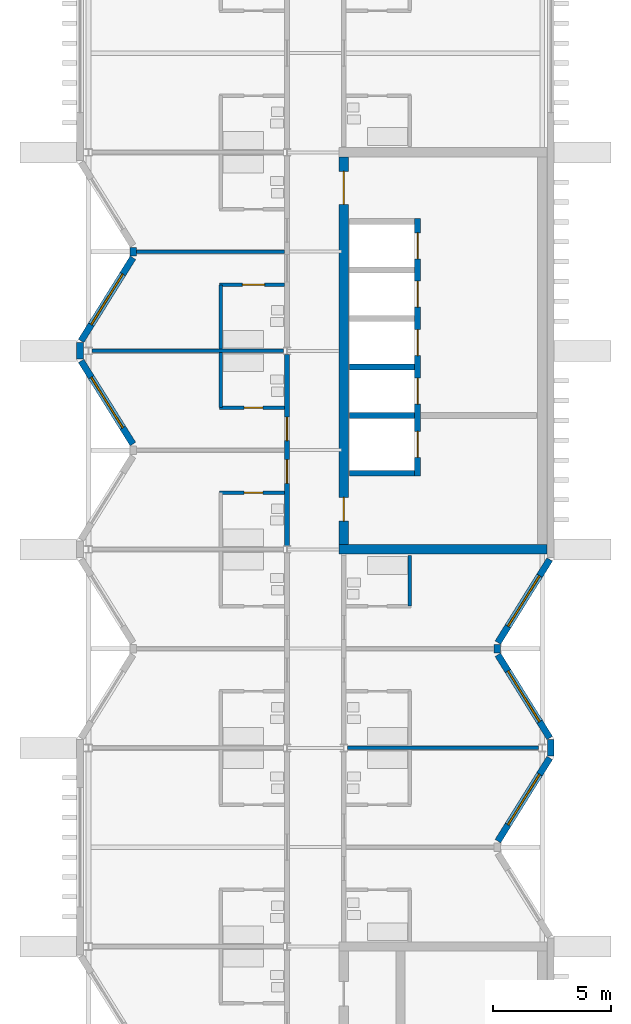
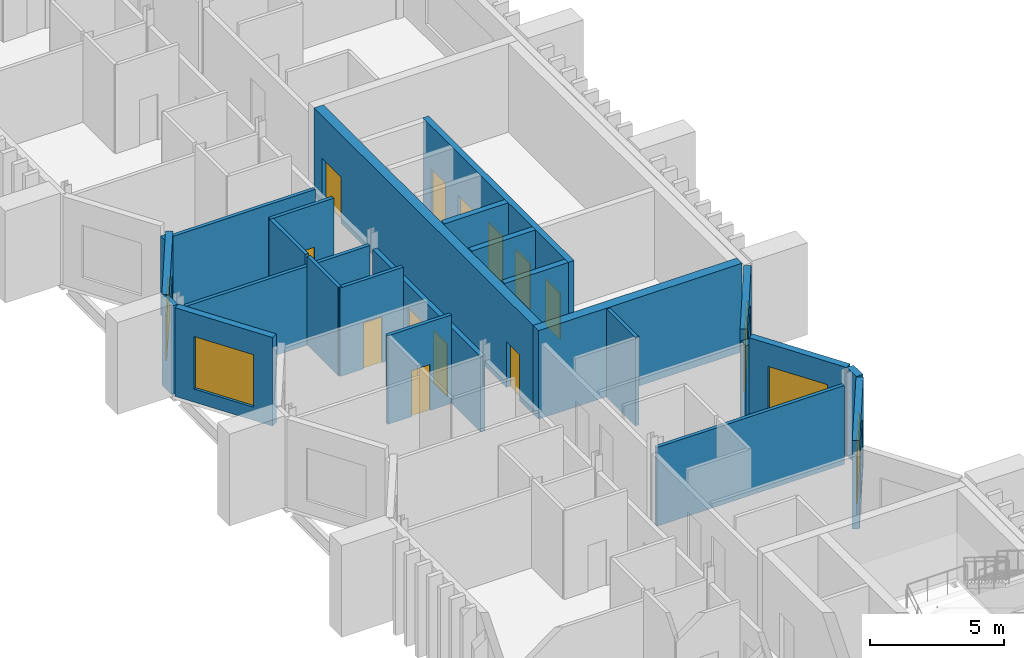
# One storey, part 6 of 10: 25 walls, 12 doors, 5 windows, 17 openings.
"""IFC4 building model written with IfcOpenShell, lengths in metres."""

from ifc_helpers import new_model, si_unit, direction, frame, frame_2d, origin, place, context, subcontext, project, spatial, rectangle, extrude, material, layer, layer_set, type_object, element, fill, save


model = new_model("IFC4")

# Units and contexts
model_context = context("Model", 3, precision=1e-05, world=origin(), true_north=direction((0.0, 1.0)))
body_context = subcontext(model_context, "Body", "Model", "MODEL_VIEW")
ifc_project = project(units=[si_unit("LENGTHUNIT", "METRE"), si_unit("AREAUNIT", "SQUARE_METRE"), si_unit("VOLUMEUNIT", "CUBIC_METRE"), si_unit("PLANEANGLEUNIT", "RADIAN"), si_unit("MASSUNIT", "GRAM", prefix="KILO")], contexts=[model_context])

# Site, building, storey
site_placement = place(None, origin())
site = spatial("IfcSite", under=ifc_project, at=site_placement, CompositionType="ELEMENT")
building_placement = place(site_placement, origin())
building = spatial("IfcBuilding", under=site, at=building_placement, Name="Cresset Court Congress Hotel", CompositionType="ELEMENT")
storey_placement = place(building_placement, frame((0.0, 0.0, 56.39990234375)))
storey = spatial("IfcBuildingStorey", under=building, at=storey_placement, Name="L13", CompositionType="ELEMENT", Elevation=56.39990234375)

# Wall, openings, doors
ifc_material_1 = material(Name="Gypsum board partition")
ifc_layer_1 = layer(ifc_material_1, 0.199951171875)
ifc_layer_set_1 = layer_set([ifc_layer_1], Name="Corridor wall 200")
wall_type_1 = type_object("IfcWallType", Name="Corridor wall 200", PredefinedType="PARTITIONING", material=ifc_layer_set_1)
wall_1_placement = place(storey_placement, frame((165.60009765625, 25.35009765625, 0.0), z_axis=(0.0, 0.0, 1.0), x_axis=(0.0, 1.0, 0.0)))
wall_1 = element("IfcWall", 1, at=wall_1_placement, inside=storey, type_object=wall_type_1, Name="A.wl.L13.067", PredefinedType="PARTITIONING", context=body_context, shape_type="SweptSolid", body=[
    extrude(rectangle(XDim=8.099853515625, YDim=0.199951171875, at=frame_2d((4.0498046875, 0.0))), origin(), (0.0, 0.0, 1.0), 3.4501953125),
])
opening_1_placement = place(wall_1_placement, frame((2.64990234375, 0.0, 0.0)))
opening_1 = element("IfcOpeningElement", 2, at=opening_1_placement, cuts=wall_1, Name="Opening DA-13-13", PredefinedType="OPENING", context=body_context, shape_type="SweptSolid", body=[
    extrude(rectangle(XDim=1.0, YDim=2.39990234375, at=frame_2d((0.5, 1.199951171875))), frame((0.0, 0.10986328125, 0.0), z_axis=(0.0, -1.0, 0.0), x_axis=(1.0, 0.0, 0.0)), (0.0, 0.0, 1.0), 0.219970703125),
])
opening_2_placement = place(wall_1_placement, frame((4.449951171875, 0.0, 0.0)))
opening_2 = element("IfcOpeningElement", 3, at=opening_2_placement, cuts=wall_1, Name="Opening DA-13-15", PredefinedType="OPENING", context=body_context, shape_type="SweptSolid", body=[
    extrude(rectangle(XDim=1.0, YDim=2.39990234375, at=frame_2d((0.5, 1.199951171875))), frame((0.0, 0.10986328125, 0.0), z_axis=(0.0, -1.0, 0.0), x_axis=(1.0, 0.0, 0.0)), (0.0, 0.0, 1.0), 0.219970703125),
])
ifc_material_2 = material(Name="timber", Category="wood")
door_type_1 = type_object("IfcDoorType", Name="Guest-room entry door 1000x2400 FD30S", OperationType="SINGLE_SWING_LEFT", PredefinedType="DOOR", material=ifc_material_2)
door_1_placement = place(opening_1_placement, origin())
door_1 = element("IfcDoor", 4, at=door_1_placement, inside=storey, type_object=door_type_1, Name="Door DA-13-13", OperationType="SINGLE_SWING_RIGHT", OverallHeight=2.39990234375, OverallWidth=1.0, PredefinedType="DOOR", context=body_context, shape_type="SweptSolid", body=[
    extrude(rectangle(XDim=1.0, YDim=2.39990234375, at=frame_2d((0.5, 1.199951171875))), frame((0.0, 0.02490234375, 0.0), z_axis=(0.0, -1.0, 0.0), x_axis=(1.0, 0.0, 0.0)), (0.0, 0.0, 1.0), 0.050048828125),
])
fill(opening_1, door_1)
door_2_placement = place(opening_2_placement, origin())
door_2 = element("IfcDoor", 5, at=door_2_placement, inside=storey, type_object=door_type_1, Name="Door DA-13-15", OperationType="SINGLE_SWING_LEFT", OverallHeight=2.39990234375, OverallWidth=1.0, PredefinedType="DOOR", context=body_context, shape_type="SweptSolid", body=[
    extrude(rectangle(XDim=1.0, YDim=2.39990234375, at=frame_2d((0.5, 1.199951171875))), frame((0.0, 0.02490234375, 0.0), z_axis=(0.0, -1.0, 0.0), x_axis=(1.0, 0.0, 0.0)), (0.0, 0.0, 1.0), 0.050048828125),
])
fill(opening_2, door_2)

# Wall, opening, door
ifc_material_3 = material(Name="Gypsum board partition")
ifc_layer_2 = layer(ifc_material_3, 0.14990234375)
ifc_layer_set_2 = layer_set([ifc_layer_2], Name="En-suite wall 150")
wall_type_2 = type_object("IfcWallType", Name="En-suite wall 150", PredefinedType="PARTITIONING", material=ifc_layer_set_2)
wall_2_placement = place(storey_placement, frame((162.75, 27.60009765625, 0.0), z_axis=(0.0, 0.0, 1.0), x_axis=(1.0, 0.0, 0.0)))
wall_2 = element("IfcWall", 6, at=wall_2_placement, inside=storey, type_object=wall_type_2, Name="A.wl.L13.014", PredefinedType="PARTITIONING", context=body_context, shape_type="SweptSolid", body=[
    extrude(rectangle(XDim=2.75, YDim=0.14990234375, at=frame_2d((1.375, 0.0))), origin(), (0.0, 0.0, 1.0), 4.050048828125),
])
opening_3_placement = place(wall_2_placement, frame((1.030029296875, 0.0, 0.0)))
opening_3 = element("IfcOpeningElement", 7, at=opening_3_placement, cuts=wall_2, Name="Opening DA-13-12", PredefinedType="OPENING", context=body_context, shape_type="SweptSolid", body=[
    extrude(rectangle(XDim=0.800048828125, YDim=2.10009765625, at=frame_2d((0.39990234375, 1.050048828125))), frame((0.0, 0.0849609375, 0.0), z_axis=(0.0, -1.0, 0.0), x_axis=(1.0, 0.0, 0.0)), (0.0, 0.0, 1.0), 0.169921875),
])
ifc_material_4 = material(Name="timber", Category="wood")
door_type_2 = type_object("IfcDoorType", Name="En-suite door 800x2100", OperationType="SINGLE_SWING_LEFT", PredefinedType="DOOR", material=ifc_material_4)
door_3_placement = place(opening_3_placement, origin())
door_3 = element("IfcDoor", 8, at=door_3_placement, inside=storey, type_object=door_type_2, Name="Door DA-13-12", OperationType="SINGLE_SWING_RIGHT", OverallHeight=2.10009765625, OverallWidth=0.800048828125, PredefinedType="DOOR", context=body_context, shape_type="SweptSolid", body=[
    extrude(rectangle(XDim=0.800048828125, YDim=2.10009765625, at=frame_2d((0.39990234375, 1.050048828125))), frame((0.0, 0.02490234375, 0.0), z_axis=(0.0, -1.0, 0.0), x_axis=(1.0, 0.0, 0.0)), (0.0, 0.0, 1.0), 0.050048828125),
])
fill(opening_3, door_3)

# Wall
wall_3_placement = place(storey_placement, frame((162.800048828125, 31.199951171875, 0.0), z_axis=(0.0, 0.0, 1.0), x_axis=(0.0, 1.0, 0.0)))
element("IfcWall", 9, at=wall_3_placement, inside=storey, type_object=wall_type_2, Name="A.wl.L13.015", PredefinedType="PARTITIONING", context=body_context, shape_type="SweptSolid", body=[
    extrude(rectangle(XDim=2.324951171875, YDim=0.14990234375, at=frame_2d((1.16259765625, 0.0))), origin(), (0.0, 0.0, 1.0), 4.050048828125),
])

# Wall, opening, door
wall_4_placement = place(storey_placement, frame((162.75, 31.199951171875, 0.0), z_axis=(0.0, 0.0, 1.0), x_axis=(1.0, 0.0, 0.0)))
wall_4 = element("IfcWall", 10, at=wall_4_placement, inside=storey, type_object=wall_type_2, Name="A.wl.L13.016", PredefinedType="PARTITIONING", context=body_context, shape_type="SweptSolid", body=[
    extrude(rectangle(XDim=2.75, YDim=0.14990234375, at=frame_2d((1.375, 0.0))), origin(), (0.0, 0.0, 1.0), 4.050048828125),
])
opening_4_placement = place(wall_4_placement, frame((1.030029296875, 0.0, 0.0)))
opening_4 = element("IfcOpeningElement", 11, at=opening_4_placement, cuts=wall_4, Name="Opening DA-13-14", PredefinedType="OPENING", context=body_context, shape_type="SweptSolid", body=[
    extrude(rectangle(XDim=0.800048828125, YDim=2.10009765625, at=frame_2d((0.39990234375, 1.050048828125))), frame((0.0, 0.0849609375, 0.0), z_axis=(0.0, -1.0, 0.0), x_axis=(1.0, 0.0, 0.0)), (0.0, 0.0, 1.0), 0.169921875),
])
door_4_placement = place(opening_4_placement, origin())
door_4 = element("IfcDoor", 12, at=door_4_placement, inside=storey, type_object=door_type_2, Name="Door DA-13-14", OperationType="SINGLE_SWING_LEFT", OverallHeight=2.10009765625, OverallWidth=0.800048828125, PredefinedType="DOOR", context=body_context, shape_type="SweptSolid", body=[
    extrude(rectangle(XDim=0.800048828125, YDim=2.10009765625, at=frame_2d((0.39990234375, 1.050048828125))), frame((0.0, 0.02490234375, 0.0), z_axis=(0.0, -1.0, 0.0), x_axis=(1.0, 0.0, 0.0)), (0.0, 0.0, 1.0), 0.050048828125),
])
fill(opening_4, door_4)

# Wall
wall_5_placement = place(storey_placement, frame((162.800048828125, 33.675048828125, 0.0), z_axis=(0.0, 0.0, 1.0), x_axis=(0.0, 1.0, 0.0)))
element("IfcWall", 13, at=wall_5_placement, inside=storey, type_object=wall_type_2, Name="A.wl.L13.017", PredefinedType="PARTITIONING", context=body_context, shape_type="SweptSolid", body=[
    extrude(rectangle(XDim=2.724853515625, YDim=0.14990234375, at=frame_2d((1.3623046875, 0.0))), origin(), (0.0, 0.0, 1.0), 4.050048828125),
])

# Wall, opening, door
wall_6_placement = place(storey_placement, frame((162.75, 36.39990234375, 0.0), z_axis=(0.0, 0.0, 1.0), x_axis=(1.0, 0.0, 0.0)))
wall_6 = element("IfcWall", 14, at=wall_6_placement, inside=storey, type_object=wall_type_2, Name="A.wl.L13.018", PredefinedType="PARTITIONING", context=body_context, shape_type="SweptSolid", body=[
    extrude(rectangle(XDim=2.75, YDim=0.14990234375, at=frame_2d((1.375, 0.0))), origin(), (0.0, 0.0, 1.0), 4.050048828125),
])
opening_5_placement = place(wall_6_placement, frame((0.955078125, 0.0, 0.0)))
opening_5 = element("IfcOpeningElement", 15, at=opening_5_placement, cuts=wall_6, Name="Opening DA-13-16", PredefinedType="OPENING", context=body_context, shape_type="SweptSolid", body=[
    extrude(rectangle(XDim=0.949951171875, YDim=2.10009765625, at=frame_2d((0.47509765625, 1.050048828125))), frame((0.0, 0.0849609375, 0.0), z_axis=(0.0, -1.0, 0.0), x_axis=(1.0, 0.0, 0.0)), (0.0, 0.0, 1.0), 0.169921875),
])
ifc_material_5 = material(Name="timber", Category="wood")
door_type_3 = type_object("IfcDoorType", Name="Accessible en-suite door 950x2100", OperationType="SINGLE_SWING_LEFT", PredefinedType="DOOR", material=ifc_material_5)
door_5_placement = place(opening_5_placement, origin())
door_5 = element("IfcDoor", 16, at=door_5_placement, inside=storey, type_object=door_type_3, Name="Door DA-13-16", OperationType="SINGLE_SWING_RIGHT", OverallHeight=2.10009765625, OverallWidth=0.949951171875, PredefinedType="DOOR", context=body_context, shape_type="SweptSolid", body=[
    extrude(rectangle(XDim=0.949951171875, YDim=2.10009765625, at=frame_2d((0.47509765625, 1.050048828125))), frame((0.0, 0.02490234375, 0.0), z_axis=(0.0, -1.0, 0.0), x_axis=(1.0, 0.0, 0.0)), (0.0, 0.0, 1.0), 0.050048828125),
])
fill(opening_5, door_5)

# Wall
wall_7_placement = place(storey_placement, frame((170.800048828125, 22.800048828125, 0.0), z_axis=(0.0, 0.0, 1.0), x_axis=(0.0, 1.0, 0.0)))
element("IfcWall", 17, at=wall_7_placement, inside=storey, type_object=wall_type_2, Name="A.wl.L13.039", PredefinedType="PARTITIONING", context=body_context, shape_type="SweptSolid", body=[
    extrude(rectangle(XDim=2.14990234375, YDim=0.14990234375, at=frame_2d((1.074951171875, 0.0))), origin(), (0.0, 0.0, 1.0), 4.050048828125),
])

# Wall, opening, window
ifc_material_6 = material(Name="Precast concrete C50", Category="concrete")
ifc_layer_3 = layer(ifc_material_6, 0.280029296875)
ifc_layer_set_3 = layer_set([ifc_layer_3], Name="External wall 280")
wall_type_3 = type_object("IfcWallType", Name="External wall 280", PredefinedType="SOLIDWALL", material=ifc_layer_set_3)
wall_8_placement = place(storey_placement, frame((159.07861328125, 29.658935546875, 0.0), z_axis=(0.0, 0.0, 1.0), x_axis=(-0.529018946142, 0.848610013271, 0.0)))
wall_8 = element("IfcWall", 18, at=wall_8_placement, inside=storey, type_object=wall_type_3, Name="A.ew.L13.Wn.3.1", PredefinedType="SOLIDWALL", context=body_context, shape_type="SweptSolid", body=[
    extrude(rectangle(XDim=4.144287109375, YDim=0.280029296875, at=frame_2d((2.072265625, 0.0))), origin(), (0.0, 0.0, 1.0), 4.050048828125),
])
opening_6_placement = place(wall_8_placement, frame((0.812255859375, 0.0, 0.60009765625)))
opening_6 = element("IfcOpeningElement", 19, at=opening_6_placement, cuts=wall_8, Name="Opening NA-13-07", PredefinedType="OPENING", context=body_context, shape_type="SweptSolid", body=[
    extrude(rectangle(XDim=2.52001953125, YDim=2.39990234375, at=frame_2d((1.260009765625, 1.199951171875))), frame((0.0, 0.14990234375, 0.0), z_axis=(0.0, -1.0, 0.0), x_axis=(1.0, 0.0, 0.0)), (0.0, 0.0, 1.0), 0.300048828125),
])
ifc_material_7 = material(Name="Aluminium and glass", Category="aluminium")
window_type_1 = type_object("IfcWindowType", Name="Window 2520x2400", PartitioningType="SINGLE_PANEL", PredefinedType="WINDOW", material=ifc_material_7)
window_1_placement = place(opening_6_placement, origin())
window_1 = element("IfcWindow", 20, at=window_1_placement, inside=storey, type_object=window_type_1, Name="Window NA-13-07", OverallHeight=2.39990234375, OverallWidth=2.52001953125, PartitioningType="SINGLE_PANEL", PredefinedType="WINDOW", context=body_context, shape_type="SweptSolid", body=[
    extrude(rectangle(XDim=2.52001953125, YDim=2.39990234375, at=frame_2d((1.260009765625, 1.199951171875))), frame((0.0, 0.030029296875, 0.0), z_axis=(0.0, -1.0, 0.0), x_axis=(1.0, 0.0, 0.0)), (0.0, 0.0, 1.0), 0.06005859375),
])
fill(opening_6, window_1)

# Wall
wall_9_placement = place(storey_placement, frame((156.840087890625, 33.25, 0.0), z_axis=(0.0, 0.0, 1.0), x_axis=(0.0, 1.0, 0.0)))
element("IfcWall", 21, at=wall_9_placement, inside=storey, type_object=wall_type_3, Name="A.ew.L13.W.4", PredefinedType="SOLIDWALL", context=body_context, shape_type="SweptSolid", body=[
    extrude(rectangle(XDim=0.699951171875, YDim=0.280029296875, at=frame_2d((0.35009765625, 0.0))), origin(), (0.0, 0.0, 1.0), 4.050048828125),
])

# Wall, opening, window
wall_10_placement = place(storey_placement, frame((156.88623046875, 34.024169921875, 0.0), z_axis=(0.0, 0.0, 1.0), x_axis=(0.529018946142, 0.848610013271, 0.0)))
wall_10 = element("IfcWall", 22, at=wall_10_placement, inside=storey, type_object=wall_type_3, Name="A.ew.L13.Wn.4.0", PredefinedType="SOLIDWALL", context=body_context, shape_type="SweptSolid", body=[
    extrude(rectangle(XDim=4.144287109375, YDim=0.280029296875, at=frame_2d((2.072265625, 0.0))), origin(), (0.0, 0.0, 1.0), 4.050048828125),
])
opening_7_placement = place(wall_10_placement, frame((0.812255859375, 0.0, 0.449951171875)))
opening_7 = element("IfcOpeningElement", 23, at=opening_7_placement, cuts=wall_10, Name="Opening NA-13-08", PredefinedType="OPENING", context=body_context, shape_type="SweptSolid", body=[
    extrude(rectangle(XDim=2.52001953125, YDim=2.10009765625, at=frame_2d((1.260009765625, 1.050048828125))), frame((0.0, 0.14990234375, 0.0), z_axis=(0.0, -1.0, 0.0), x_axis=(1.0, 0.0, 0.0)), (0.0, 0.0, 1.0), 0.300048828125),
])
ifc_material_8 = material(Name="Aluminium and glass", Category="aluminium")
window_type_2 = type_object("IfcWindowType", Name="Window 2520x2100", PartitioningType="SINGLE_PANEL", PredefinedType="WINDOW", material=ifc_material_8)
window_2_placement = place(opening_7_placement, origin())
window_2 = element("IfcWindow", 24, at=window_2_placement, inside=storey, type_object=window_type_2, Name="Window NA-13-08", OverallHeight=2.10009765625, OverallWidth=2.52001953125, PartitioningType="SINGLE_PANEL", PredefinedType="WINDOW", context=body_context, shape_type="SweptSolid", body=[
    extrude(rectangle(XDim=2.52001953125, YDim=2.10009765625, at=frame_2d((1.260009765625, 1.050048828125))), frame((0.0, 0.030029296875, 0.0), z_axis=(0.0, -1.0, 0.0), x_axis=(1.0, 0.0, 0.0)), (0.0, 0.0, 1.0), 0.06005859375),
])
fill(opening_7, window_2)

# Wall
wall_11_placement = place(storey_placement, frame((159.099609375, 37.614990234375, 0.0), z_axis=(0.0, 0.0, 1.0), x_axis=(0.0, 1.0, 0.0)))
element("IfcWall", 25, at=wall_11_placement, inside=storey, type_object=wall_type_3, Name="A.ew.L13.Wn.4.2", PredefinedType="SOLIDWALL", context=body_context, shape_type="SweptSolid", body=[
    extrude(rectangle(XDim=0.369873046875, YDim=0.280029296875, at=frame_2d((0.18505859375, 0.0))), origin(), (0.0, 0.0, 1.0), 3.60400390625),
])

# Wall, opening, window
wall_12_placement = place(storey_placement, frame((174.521484375, 12.85888671875, 0.0), z_axis=(0.0, 0.0, 1.0), x_axis=(0.528992500338, 0.848626498871, 0.0)))
wall_12 = element("IfcWall", 26, at=wall_12_placement, inside=storey, type_object=wall_type_3, Name="A.ew.L13.En.1.1", PredefinedType="SOLIDWALL", context=body_context, shape_type="SweptSolid", body=[
    extrude(rectangle(XDim=4.14453125, YDim=0.280029296875, at=frame_2d((2.072265625, 0.0))), origin(), (0.0, 0.0, 1.0), 4.050048828125),
])
opening_8_placement = place(wall_12_placement, frame((0.81201171875, 0.0, 0.60009765625)))
opening_8 = element("IfcOpeningElement", 27, at=opening_8_placement, cuts=wall_12, Name="Opening NA-13-14", PredefinedType="OPENING", context=body_context, shape_type="SweptSolid", body=[
    extrude(rectangle(XDim=2.52001953125, YDim=2.39990234375, at=frame_2d((1.260009765625, 1.199951171875))), frame((0.0, 0.14990234375, 0.0), z_axis=(0.0, -1.0, 0.0), x_axis=(1.0, 0.0, 0.0)), (0.0, 0.0, 1.0), 0.300048828125),
])
window_3_placement = place(opening_8_placement, origin())
window_3 = element("IfcWindow", 28, at=window_3_placement, inside=storey, type_object=window_type_1, Name="Window NA-13-14", OverallHeight=2.39990234375, OverallWidth=2.52001953125, PartitioningType="SINGLE_PANEL", PredefinedType="WINDOW", context=body_context, shape_type="SweptSolid", body=[
    extrude(rectangle(XDim=2.52001953125, YDim=2.39990234375, at=frame_2d((1.260009765625, 1.199951171875))), frame((0.0, 0.030029296875, 0.0), z_axis=(0.0, -1.0, 0.0), x_axis=(1.0, 0.0, 0.0)), (0.0, 0.0, 1.0), 0.06005859375),
])
fill(opening_8, window_3)

# Wall
wall_13_placement = place(storey_placement, frame((176.760009765625, 16.449951171875, 0.0), z_axis=(0.0, 0.0, 1.0), x_axis=(0.0, 1.0, 0.0)))
element("IfcWall", 29, at=wall_13_placement, inside=storey, type_object=wall_type_3, Name="A.ew.L13.E.2", PredefinedType="SOLIDWALL", context=body_context, shape_type="SweptSolid", body=[
    extrude(rectangle(XDim=0.699951171875, YDim=0.280029296875, at=frame_2d((0.35009765625, 0.0))), origin(), (0.0, 0.0, 1.0), 4.050048828125),
])

# Wall, opening, window
wall_14_placement = place(storey_placement, frame((176.7138671875, 17.22412109375, 0.0), z_axis=(0.0, 0.0, 1.0), x_axis=(-0.529018946142, 0.848610013271, 0.0)))
wall_14 = element("IfcWall", 30, at=wall_14_placement, inside=storey, type_object=wall_type_3, Name="A.ew.L13.En.2.0", PredefinedType="SOLIDWALL", context=body_context, shape_type="SweptSolid", body=[
    extrude(rectangle(XDim=4.144287109375, YDim=0.280029296875, at=frame_2d((2.072265625, 0.0))), origin(), (0.0, 0.0, 1.0), 4.050048828125),
])
opening_9_placement = place(wall_14_placement, frame((0.81201171875, 0.0, 0.60009765625)))
opening_9 = element("IfcOpeningElement", 31, at=opening_9_placement, cuts=wall_14, Name="Opening NA-13-15", PredefinedType="OPENING", context=body_context, shape_type="SweptSolid", body=[
    extrude(rectangle(XDim=2.52001953125, YDim=2.39990234375, at=frame_2d((1.260009765625, 1.199951171875))), frame((0.0, 0.14990234375, 0.0), z_axis=(0.0, -1.0, 0.0), x_axis=(1.0, 0.0, 0.0)), (0.0, 0.0, 1.0), 0.300048828125),
])
window_4_placement = place(opening_9_placement, origin())
window_4 = element("IfcWindow", 32, at=window_4_placement, inside=storey, type_object=window_type_1, Name="Window NA-13-15", OverallHeight=2.39990234375, OverallWidth=2.52001953125, PartitioningType="SINGLE_PANEL", PredefinedType="WINDOW", context=body_context, shape_type="SweptSolid", body=[
    extrude(rectangle(XDim=2.52001953125, YDim=2.39990234375, at=frame_2d((1.260009765625, 1.199951171875))), frame((0.0, 0.030029296875, 0.0), z_axis=(0.0, -1.0, 0.0), x_axis=(1.0, 0.0, 0.0)), (0.0, 0.0, 1.0), 0.06005859375),
])
fill(opening_9, window_4)

wall_15_placement = place(storey_placement, frame((174.521484375, 21.259033203125, 0.0), z_axis=(0.0, 0.0, 1.0), x_axis=(0.529018946142, 0.848610013271, 0.0)))
wall_15 = element("IfcWall", 33, at=wall_15_placement, inside=storey, type_object=wall_type_3, Name="A.ew.L13.En.2.1", PredefinedType="SOLIDWALL", context=body_context, shape_type="SweptSolid", body=[
    extrude(rectangle(XDim=4.144287109375, YDim=0.280029296875, at=frame_2d((2.072265625, 0.0))), origin(), (0.0, 0.0, 1.0), 4.050048828125),
])
opening_10_placement = place(wall_15_placement, frame((0.81201171875, 0.0, 0.60009765625)))
opening_10 = element("IfcOpeningElement", 34, at=opening_10_placement, cuts=wall_15, Name="Opening NA-13-16", PredefinedType="OPENING", context=body_context, shape_type="SweptSolid", body=[
    extrude(rectangle(XDim=2.52001953125, YDim=2.39990234375, at=frame_2d((1.260009765625, 1.199951171875))), frame((0.0, 0.14990234375, 0.0), z_axis=(0.0, -1.0, 0.0), x_axis=(1.0, 0.0, 0.0)), (0.0, 0.0, 1.0), 0.300048828125),
])
window_5_placement = place(opening_10_placement, origin())
window_5 = element("IfcWindow", 35, at=window_5_placement, inside=storey, type_object=window_type_1, Name="Window NA-13-16", OverallHeight=2.39990234375, OverallWidth=2.52001953125, PartitioningType="SINGLE_PANEL", PredefinedType="WINDOW", context=body_context, shape_type="SweptSolid", body=[
    extrude(rectangle(XDim=2.52001953125, YDim=2.39990234375, at=frame_2d((1.260009765625, 1.199951171875))), frame((0.0, 0.030029296875, 0.0), z_axis=(0.0, -1.0, 0.0), x_axis=(1.0, 0.0, 0.0)), (0.0, 0.0, 1.0), 0.06005859375),
])
fill(opening_10, window_5)

# Walls
wall_16_placement = place(storey_placement, frame((174.500244140625, 20.815185546875, 0.0), z_axis=(0.0, 0.0, 1.0), x_axis=(0.0, 1.0, 0.0)))
element("IfcWall", 36, at=wall_16_placement, inside=storey, type_object=wall_type_3, Name="A.ew.L13.En.2.2", PredefinedType="SOLIDWALL", context=body_context, shape_type="SweptSolid", body=[
    extrude(rectangle(XDim=0.36962890625, YDim=0.280029296875, at=frame_2d((0.184814453125, 0.0))), origin(), (0.0, 0.0, 1.0), 3.60400390625),
])
ifc_material_9 = material(Name="Gypsum board partition")
ifc_layer_4 = layer(ifc_material_9, 0.14990234375)
ifc_layer_set_4 = layer_set([ifc_layer_4], Name="Guest-room partition 150")
wall_type_4 = type_object("IfcWallType", Name="Guest-room partition 150", PredefinedType="PARTITIONING", material=ifc_layer_set_4)
wall_17_placement = place(storey_placement, frame((157.35009765625, 33.60009765625, 0.0), z_axis=(0.0, 0.0, 1.0), x_axis=(1.0, 0.0, 0.0)))
element("IfcWall", 37, at=wall_17_placement, inside=storey, type_object=wall_type_4, Name="A.wl.L13.052", PredefinedType="PARTITIONING", context=body_context, shape_type="SweptSolid", body=[
    extrude(rectangle(XDim=8.099853515625, YDim=0.14990234375, at=frame_2d((4.0498046875, 0.0))), origin(), (0.0, 0.0, 1.0), 3.60400390625),
])
wall_18_placement = place(storey_placement, frame((168.14990234375, 16.800048828125, 0.0), z_axis=(0.0, 0.0, 1.0), x_axis=(1.0, 0.0, 0.0)))
element("IfcWall", 38, at=wall_18_placement, inside=storey, type_object=wall_type_4, Name="A.wl.L13.056", PredefinedType="PARTITIONING", context=body_context, shape_type="SweptSolid", body=[
    extrude(rectangle(XDim=8.10009765625, YDim=0.14990234375, at=frame_2d((4.050048828125, 0.0))), origin(), (0.0, 0.0, 1.0), 3.60400390625),
])
wall_19_placement = place(storey_placement, frame((159.23974609375, 37.800048828125, 0.0), z_axis=(0.0, 0.0, 1.0), x_axis=(1.0, 0.0, 0.0)))
element("IfcWall", 39, at=wall_19_placement, inside=storey, type_object=wall_type_4, Name="A.wl.L13.061", PredefinedType="PARTITIONING", context=body_context, shape_type="SweptSolid", body=[
    extrude(rectangle(XDim=6.26025390625, YDim=0.14990234375, at=frame_2d((3.130126953125, 0.0))), origin(), (0.0, 0.0, 1.0), 3.60400390625),
])
ifc_material_10 = material(Name="Concrete C50", Category="concrete")
ifc_layer_5 = layer(ifc_material_10, 0.39990234375)
ifc_layer_set_5 = layer_set([ifc_layer_5], Name="Lift core wall 400")
wall_type_5 = type_object("IfcWallType", Name="Lift core wall 400", PredefinedType="SOLIDWALL", material=ifc_layer_set_5)
wall_20_placement = place(storey_placement, frame((167.800048828125, 25.199951171875, 0.0), z_axis=(0.0, 0.0, 1.0), x_axis=(1.0, 0.0, 0.0)))
element("IfcWall", 40, at=wall_20_placement, inside=storey, type_object=wall_type_5, Name="A.cw.LC-A.L13.S", PredefinedType="SOLIDWALL", context=body_context, shape_type="SweptSolid", body=[
    extrude(rectangle(XDim=8.800048828125, YDim=0.39990234375, at=frame_2d((4.39990234375, 0.0))), origin(), (0.0, 0.0, 1.0), 4.050048828125),
])

# Wall, openings, doors
wall_21_placement = place(storey_placement, frame((168.0, 25.39990234375, 0.0), z_axis=(0.0, 0.0, 1.0), x_axis=(0.0, 1.0, 0.0)))
wall_21 = element("IfcWall", 41, at=wall_21_placement, inside=storey, type_object=wall_type_5, Name="A.cw.LC-A.L13.W", PredefinedType="SOLIDWALL", context=body_context, shape_type="SweptSolid", body=[
    extrude(rectangle(XDim=16.400146484375, YDim=0.39990234375, at=frame_2d((8.2001953125, 0.0))), origin(), (0.0, 0.0, 1.0), 4.050048828125),
])
opening_11_placement = place(wall_21_placement, frame((1.0, 0.0, 0.0)))
opening_11 = element("IfcOpeningElement", 42, at=opening_11_placement, cuts=wall_21, Name="Opening DA-13-54", PredefinedType="OPENING", context=body_context, shape_type="SweptSolid", body=[
    extrude(rectangle(XDim=1.0, YDim=2.10009765625, at=frame_2d((0.5, 1.050048828125))), frame((0.0, 0.2099609375, 0.0), z_axis=(0.0, -1.0, 0.0), x_axis=(1.0, 0.0, 0.0)), (0.0, 0.0, 1.0), 0.419921875),
])
opening_12_placement = place(wall_21_placement, frame((14.39990234375, 0.0, 0.0)))
opening_12 = element("IfcOpeningElement", 43, at=opening_12_placement, cuts=wall_21, Name="Opening DA-13-55", PredefinedType="OPENING", context=body_context, shape_type="SweptSolid", body=[
    extrude(rectangle(XDim=1.39990234375, YDim=2.10009765625, at=frame_2d((0.699951171875, 1.050048828125))), frame((0.0, 0.2099609375, 0.0), z_axis=(0.0, -1.0, 0.0), x_axis=(1.0, 0.0, 0.0)), (0.0, 0.0, 1.0), 0.419921875),
])
ifc_material_11 = material(Name="steel", Category="steel")
door_type_4 = type_object("IfcDoorType", Name="Lobby door 1000x2100 FD60", OperationType="SINGLE_SWING_LEFT", PredefinedType="DOOR", material=ifc_material_11)
door_6_placement = place(opening_11_placement, origin())
door_6 = element("IfcDoor", 44, at=door_6_placement, inside=storey, type_object=door_type_4, Name="Door DA-13-54", OperationType="SINGLE_SWING_RIGHT", OverallHeight=2.10009765625, OverallWidth=1.0, PredefinedType="DOOR", context=body_context, shape_type="SweptSolid", body=[
    extrude(rectangle(XDim=1.0, YDim=2.10009765625, at=frame_2d((0.5, 1.050048828125))), frame((0.0, 0.02490234375, 0.0), z_axis=(0.0, -1.0, 0.0), x_axis=(1.0, 0.0, 0.0)), (0.0, 0.0, 1.0), 0.050048828125),
])
fill(opening_11, door_6)
ifc_material_12 = material(Name="steel", Category="steel")
door_type_5 = type_object("IfcDoorType", Name="Lobby door 1400x2100 FD60", OperationType="DOUBLE_DOOR_DOUBLE_SWING", PredefinedType="DOOR", material=ifc_material_12)
door_7_placement = place(opening_12_placement, origin())
door_7 = element("IfcDoor", 45, at=door_7_placement, inside=storey, type_object=door_type_5, Name="Door DA-13-55", OperationType="DOUBLE_DOOR_DOUBLE_SWING", OverallHeight=2.10009765625, OverallWidth=1.39990234375, PredefinedType="DOOR", context=body_context, shape_type="SweptSolid", body=[
    extrude(rectangle(XDim=1.39990234375, YDim=2.10009765625, at=frame_2d((0.699951171875, 1.050048828125))), frame((0.0, 0.02490234375, 0.0), z_axis=(0.0, -1.0, 0.0), x_axis=(1.0, 0.0, 0.0)), (0.0, 0.0, 1.0), 0.050048828125),
])
fill(opening_12, door_7)

ifc_material_13 = material(Name="Concrete C50", Category="concrete")
ifc_layer_6 = layer(ifc_material_13, 0.25)
ifc_layer_set_6 = layer_set([ifc_layer_6], Name="Lift shaft wall 250")
wall_type_6 = type_object("IfcWallType", Name="Lift shaft wall 250", PredefinedType="SOLIDWALL", material=ifc_layer_set_6)
wall_22_placement = place(storey_placement, frame((171.125, 28.300048828125, 0.0), z_axis=(0.0, 0.0, 1.0), x_axis=(0.0, 1.0, 0.0)))
wall_22 = element("IfcWall", 46, at=wall_22_placement, inside=storey, type_object=wall_type_6, Name="A.wl.L13.080", PredefinedType="SOLIDWALL", context=body_context, shape_type="SweptSolid", body=[
    extrude(rectangle(XDim=10.89990234375, YDim=0.25, at=frame_2d((5.449951171875, 0.0))), origin(), (0.0, 0.0, 1.0), 4.050048828125),
])
opening_13_placement = place(wall_22_placement, frame((0.800048828125, 0.0, 0.0)))
opening_13 = element("IfcOpeningElement", 47, at=opening_13_placement, cuts=wall_22, Name="Opening LD-A1-13", PredefinedType="OPENING", context=body_context, shape_type="SweptSolid", body=[
    extrude(rectangle(XDim=1.10009765625, YDim=2.10009765625, at=frame_2d((0.550048828125, 1.050048828125))), frame((0.0, 0.135009765625, 0.0), z_axis=(0.0, -1.0, 0.0), x_axis=(1.0, 0.0, 0.0)), (0.0, 0.0, 1.0), 0.27001953125),
])
opening_14_placement = place(wall_22_placement, frame((3.050048828125, 0.0, 0.0)))
opening_14 = element("IfcOpeningElement", 48, at=opening_14_placement, cuts=wall_22, Name="Opening LD-A2-13", PredefinedType="OPENING", context=body_context, shape_type="SweptSolid", body=[
    extrude(rectangle(XDim=1.10009765625, YDim=2.10009765625, at=frame_2d((0.550048828125, 1.050048828125))), frame((0.0, 0.135009765625, 0.0), z_axis=(0.0, -1.0, 0.0), x_axis=(1.0, 0.0, 0.0)), (0.0, 0.0, 1.0), 0.27001953125),
])
opening_15_placement = place(wall_22_placement, frame((5.10009765625, 0.0, 0.0)))
opening_15 = element("IfcOpeningElement", 49, at=opening_15_placement, cuts=wall_22, Name="Opening LD-A3-13", PredefinedType="OPENING", context=body_context, shape_type="SweptSolid", body=[
    extrude(rectangle(XDim=1.10009765625, YDim=2.10009765625, at=frame_2d((0.550048828125, 1.050048828125))), frame((0.0, 0.135009765625, 0.0), z_axis=(0.0, -1.0, 0.0), x_axis=(1.0, 0.0, 0.0)), (0.0, 0.0, 1.0), 0.27001953125),
])
opening_16_placement = place(wall_22_placement, frame((7.14990234375, 0.0, 0.0)))
opening_16 = element("IfcOpeningElement", 50, at=opening_16_placement, cuts=wall_22, Name="Opening LD-A4-13", PredefinedType="OPENING", context=body_context, shape_type="SweptSolid", body=[
    extrude(rectangle(XDim=1.10009765625, YDim=2.10009765625, at=frame_2d((0.550048828125, 1.050048828125))), frame((0.0, 0.135009765625, 0.0), z_axis=(0.0, -1.0, 0.0), x_axis=(1.0, 0.0, 0.0)), (0.0, 0.0, 1.0), 0.27001953125),
])
opening_17_placement = place(wall_22_placement, frame((9.199951171875, 0.0, 0.0)))
opening_17 = element("IfcOpeningElement", 51, at=opening_17_placement, cuts=wall_22, Name="Opening LD-A5-13", PredefinedType="OPENING", context=body_context, shape_type="SweptSolid", body=[
    extrude(rectangle(XDim=1.10009765625, YDim=2.10009765625, at=frame_2d((0.550048828125, 1.050048828125))), frame((0.0, 0.135009765625, 0.0), z_axis=(0.0, -1.0, 0.0), x_axis=(1.0, 0.0, 0.0)), (0.0, 0.0, 1.0), 0.27001953125),
])
ifc_material_14 = material(Name="stainless steel", Category="steel")
door_type_6 = type_object("IfcDoorType", Name="Lift landing door 1100x2100 E 60", OperationType="SLIDING_TO_LEFT", PredefinedType="DOOR", material=ifc_material_14)
door_8_placement = place(opening_13_placement, origin())
door_8 = element("IfcDoor", 52, at=door_8_placement, inside=storey, type_object=door_type_6, Name="Lift landing door LD-A1-13", OperationType="SLIDING_TO_LEFT", OverallHeight=2.10009765625, OverallWidth=1.10009765625, PredefinedType="DOOR", context=body_context, shape_type="SweptSolid", body=[
    extrude(rectangle(XDim=1.10009765625, YDim=2.10009765625, at=frame_2d((0.550048828125, 1.050048828125))), frame((0.0, 0.02490234375, 0.0), z_axis=(0.0, -1.0, 0.0), x_axis=(1.0, 0.0, 0.0)), (0.0, 0.0, 1.0), 0.050048828125),
])
fill(opening_13, door_8)
door_9_placement = place(opening_14_placement, origin())
door_9 = element("IfcDoor", 53, at=door_9_placement, inside=storey, type_object=door_type_6, Name="Lift landing door LD-A2-13", OperationType="SLIDING_TO_LEFT", OverallHeight=2.10009765625, OverallWidth=1.10009765625, PredefinedType="DOOR", context=body_context, shape_type="SweptSolid", body=[
    extrude(rectangle(XDim=1.10009765625, YDim=2.10009765625, at=frame_2d((0.550048828125, 1.050048828125))), frame((0.0, 0.02490234375, 0.0), z_axis=(0.0, -1.0, 0.0), x_axis=(1.0, 0.0, 0.0)), (0.0, 0.0, 1.0), 0.050048828125),
])
fill(opening_14, door_9)
door_10_placement = place(opening_15_placement, origin())
door_10 = element("IfcDoor", 54, at=door_10_placement, inside=storey, type_object=door_type_6, Name="Lift landing door LD-A3-13", OperationType="SLIDING_TO_LEFT", OverallHeight=2.10009765625, OverallWidth=1.10009765625, PredefinedType="DOOR", context=body_context, shape_type="SweptSolid", body=[
    extrude(rectangle(XDim=1.10009765625, YDim=2.10009765625, at=frame_2d((0.550048828125, 1.050048828125))), frame((0.0, 0.02490234375, 0.0), z_axis=(0.0, -1.0, 0.0), x_axis=(1.0, 0.0, 0.0)), (0.0, 0.0, 1.0), 0.050048828125),
])
fill(opening_15, door_10)
door_11_placement = place(opening_16_placement, origin())
door_11 = element("IfcDoor", 55, at=door_11_placement, inside=storey, type_object=door_type_6, Name="Lift landing door LD-A4-13", OperationType="SLIDING_TO_LEFT", OverallHeight=2.10009765625, OverallWidth=1.10009765625, PredefinedType="DOOR", context=body_context, shape_type="SweptSolid", body=[
    extrude(rectangle(XDim=1.10009765625, YDim=2.10009765625, at=frame_2d((0.550048828125, 1.050048828125))), frame((0.0, 0.02490234375, 0.0), z_axis=(0.0, -1.0, 0.0), x_axis=(1.0, 0.0, 0.0)), (0.0, 0.0, 1.0), 0.050048828125),
])
fill(opening_16, door_11)
door_12_placement = place(opening_17_placement, origin())
door_12 = element("IfcDoor", 56, at=door_12_placement, inside=storey, type_object=door_type_6, Name="Lift landing door LD-A5-13", OperationType="SLIDING_TO_LEFT", OverallHeight=2.10009765625, OverallWidth=1.10009765625, PredefinedType="DOOR", context=body_context, shape_type="SweptSolid", body=[
    extrude(rectangle(XDim=1.10009765625, YDim=2.10009765625, at=frame_2d((0.550048828125, 1.050048828125))), frame((0.0, 0.02490234375, 0.0), z_axis=(0.0, -1.0, 0.0), x_axis=(1.0, 0.0, 0.0)), (0.0, 0.0, 1.0), 0.050048828125),
])
fill(opening_17, door_12)

# Walls
for number, where, z_axis, x_axis, name in (
    (57, (168.25, 28.425048828125, 0.0), (0.0, 0.0, 1.0), (1.0, 0.0, 0.0), "A.wl.L13.081"),
    (58, (168.25, 30.875, 0.0), (0.0, 0.0, 1.0), (1.0, 0.0, 0.0), "A.wl.L13.082"),
    (59, (168.25, 32.925048828125, 0.0), (0.0, 0.0, 1.0), (1.0, 0.0, 0.0), "A.wl.L13.083"),
):
    element("IfcWall", number, at=place(storey_placement, frame(where, z_axis=z_axis, x_axis=x_axis)), inside=storey, type_object=wall_type_6, Name=name, PredefinedType="SOLIDWALL", context=body_context, shape_type="SweptSolid", body=[
        extrude(rectangle(XDim=2.75, YDim=0.25, at=frame_2d((1.375, 0.0))), origin(), (0.0, 0.0, 1.0), 4.050048828125),
    ])

save(model, "model.ifc")
